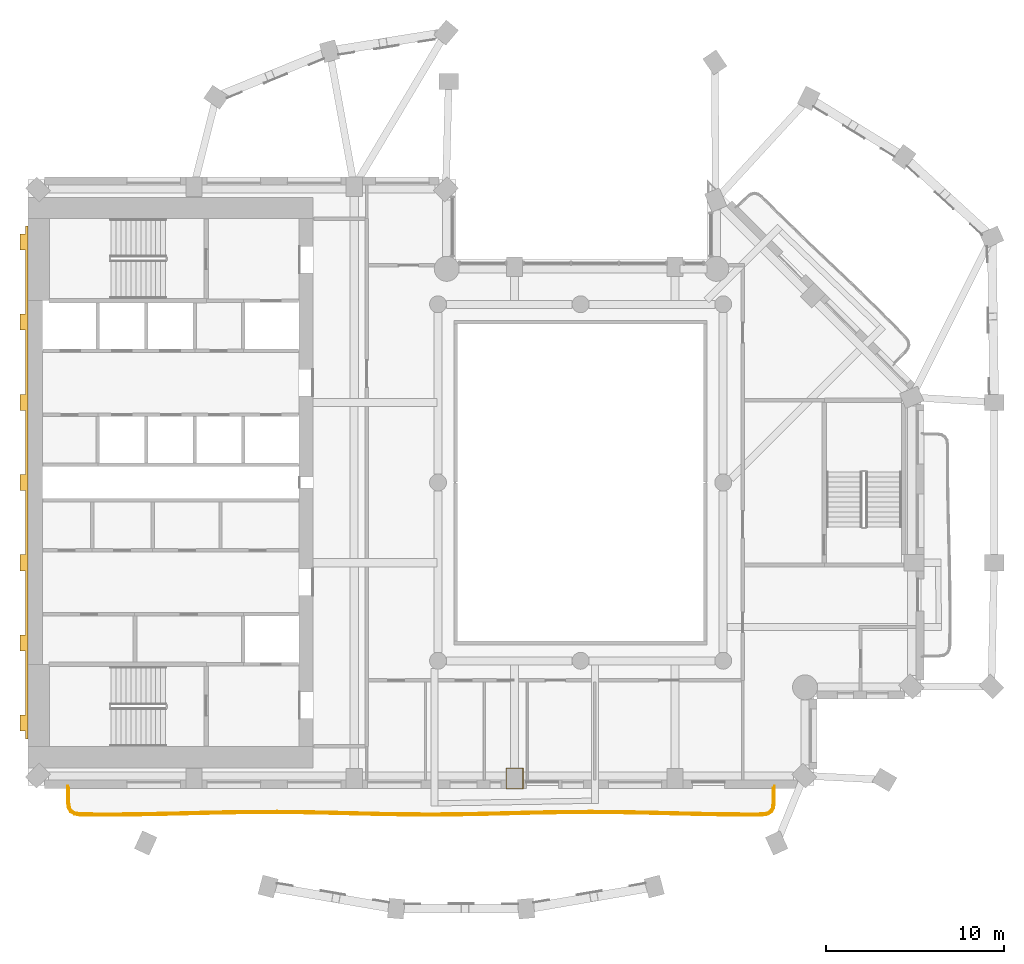
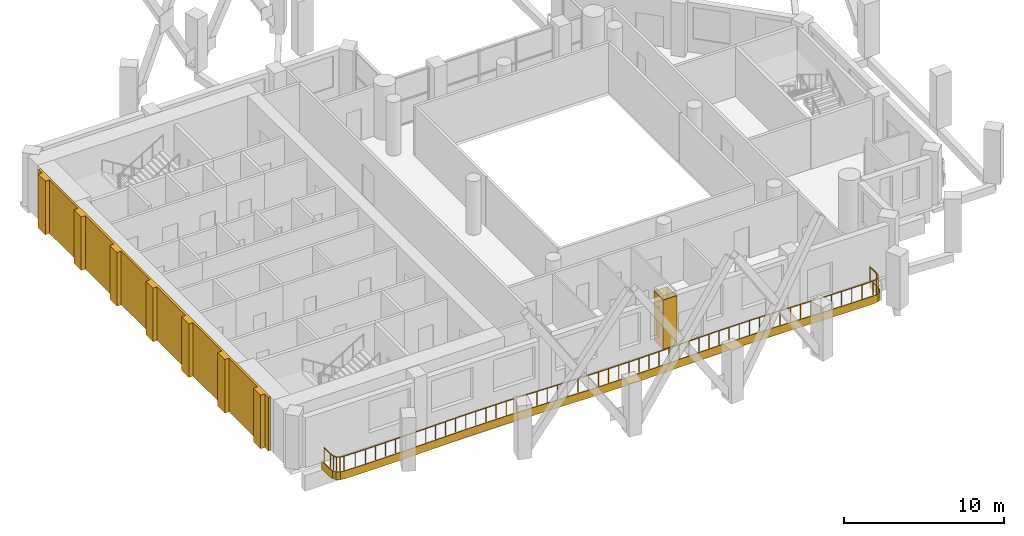
# One storey, part 12 of 15: 3 coverings, 1 railing.
"""IFC4 building model written with IfcOpenShell, lengths in metres."""

from ifc_helpers import new_model, si_unit, direction, frame, origin, origin_2d, place, context, subcontext, project, spatial, polyline, rectangle, outline, extrude, material, layer, layer_set, type_object, element, save


model = new_model("IFC4")

# Units and contexts
model_context = context("Model", 3, precision=1e-05, world=origin(), true_north=direction((0.0, 1.0)))
body_context = subcontext(model_context, "Body", "Model", "MODEL_VIEW")
ifc_project = project(units=[si_unit("LENGTHUNIT", "METRE"), si_unit("AREAUNIT", "SQUARE_METRE"), si_unit("VOLUMEUNIT", "CUBIC_METRE"), si_unit("PLANEANGLEUNIT", "RADIAN"), si_unit("MASSUNIT", "GRAM", prefix="KILO")], contexts=[model_context])

# Site, building, storey
site_placement = place(None, origin())
site = spatial("IfcSite", under=ifc_project, at=site_placement, CompositionType="ELEMENT")
building_placement = place(site_placement, origin())
building = spatial("IfcBuilding", under=site, at=building_placement, Name="Cypress Arch Tower", CompositionType="ELEMENT")
storey_placement = place(building_placement, frame((0.0, 0.0, 193.300048828125)))
storey = spatial("IfcBuildingStorey", under=building, at=storey_placement, Name="L42", CompositionType="ELEMENT", Elevation=193.300048828125)

# Covering
ifc_material_1 = material(Name="White powder-coated aluminium fascia", Category="aluminium")
ifc_layer_1 = layer(ifc_material_1, 0.050048828125)
ifc_layer_set_1 = layer_set([ifc_layer_1], Name="Balcony fascia BF50")
covering_type_1 = type_object("IfcCoveringType", Name="Balcony fascia BF50", PredefinedType="CLADDING", material=ifc_layer_set_1)
covering_1_placement = place(storey_placement, frame((0.0, 0.0, -0.60009765625)))
element("IfcCovering", 1, at=covering_1_placement, inside=storey, type_object=covering_type_1, Name="Balcony fascia L42-B01", PredefinedType="CLADDING", context=body_context, shape_type="SweptSolid", body=[
    extrude(outline(polyline([(11.89990234375, -17.980224609375), (11.85693359375, -18.28271484375), (11.721435546875, -18.509033203125), (11.49609375, -18.6455078125), (11.19384765625, -18.690185546875), (10.38330078125, -18.694580078125), (8.916015625, -18.683837890625), (7.448974609375, -18.657470703125), (5.982177734375, -18.621826171875), (4.515625, -18.58642578125), (3.04931640625, -18.560302734375), (1.583251953125, -18.550048828125), (0.1171875, -18.558349609375), (-1.348876953125, -18.5830078125), (-2.8154296875, -18.61767578125), (-4.2822265625, -18.653564453125), (-5.749267578125, -18.681640625), (-7.216552734375, -18.6943359375), (-8.683837890625, -18.6884765625), (-10.15087890625, -18.665771484375), (-11.617919921875, -18.6318359375), (-13.08447265625, -18.595703125), (-14.55078125, -18.566162109375), (-16.016845703125, -18.551025390625), (-17.48291015625, -18.55419921875), (-18.948974609375, -18.574951171875), (-20.41552734375, -18.607666015625), (-21.882080078125, -18.644287109375), (-23.34912109375, -18.67529296875), (-24.81640625, -18.692626953125), (-26.28369140625, -18.69189453125), (-27.09423828125, -18.681640625), (-27.396240234375, -18.634765625), (-27.62158203125, -18.49658203125), (-27.7568359375, -18.269775390625), (-27.800048828125, -17.967041015625), (-27.800048828125, -17.0009765625), (-27.75, -17.0009765625), (-27.75, -17.96337890625), (-27.708740234375, -18.252685546875), (-27.5849609375, -18.46044921875), (-27.378662109375, -18.5869140625), (-27.090087890625, -18.6318359375), (-26.283447265625, -18.641845703125), (-24.816650390625, -18.642578125), (-23.35009765625, -18.625244140625), (-21.88330078125, -18.59423828125), (-20.416748046875, -18.5576171875), (-18.949951171875, -18.52490234375), (-17.4833984375, -18.504150390625), (-16.0166015625, -18.5009765625), (-14.550048828125, -18.51611328125), (-13.083251953125, -18.545654296875), (-11.61669921875, -18.58203125), (-10.14990234375, -18.61572265625), (-8.683349609375, -18.638427734375), (-7.216552734375, -18.644287109375), (-5.75, -18.631591796875), (-4.283447265625, -18.603759765625), (-2.816650390625, -18.567626953125), (-1.35009765625, -18.532958984375), (0.11669921875, -18.50830078125), (1.583251953125, -18.5), (3.050048828125, -18.51025390625), (4.5166015625, -18.53662109375), (5.9833984375, -18.57177734375), (7.449951171875, -18.607421875), (8.916748046875, -18.6337890625), (10.38330078125, -18.64453125), (11.18994140625, -18.640380859375), (11.478759765625, -18.597412109375), (11.68505859375, -18.47265625), (11.808837890625, -18.265625), (11.85009765625, -17.976806640625), (11.85009765625, -17.0009765625), (11.89990234375, -17.0009765625), (11.89990234375, -17.980224609375)])), origin(), (0.0, 0.0, 1.0), 0.60009765625),
])

# Railing
ifc_material_2 = material(Name="Powder-coated steel posts and rods, 100 mm clear between rods", Category="steel")
railing_type = type_object("IfcRailingType", Name="Balcony guard GR1100", PredefinedType="GUARDRAIL", material=ifc_material_2)
railing_placement = place(storey_placement, frame((11.800048828125, -17.14990234375, 0.0)))
element("IfcRailing", 2, at=railing_placement, inside=storey, type_object=railing_type, Name="Balcony guard L42-B01", PredefinedType="GUARDRAIL", context=body_context, shape_type="SweptSolid", body=[
    extrude(rectangle(XDim=0.050048828125, YDim=0.050048828125, at=origin_2d()), frame((0.0, 0.0, 1.0751953125), z_axis=(0.0, -1.0, 0.0), x_axis=(1.0, 0.0, 0.0)), (0.0, 0.0, 1.0), 0.8232421875),
    extrude(rectangle(XDim=0.050048828125, YDim=0.050048828125, at=origin_2d()), frame((0.0, -0.8232421875, 1.0751953125), z_axis=(-0.141175828707, -0.989984537954, 0.0), x_axis=(0.989984537954, -0.141175828707, 0.0)), (0.0, 0.0, 1.0), 0.2783203125),
    extrude(rectangle(XDim=0.050048828125, YDim=0.050048828125, at=origin_2d()), frame((-0.039306640625, -1.098876953125, 1.0751953125), z_axis=(-0.513838521865, -0.857886923462, 0.0), x_axis=(0.857886923462, -0.513838521865, 0.0)), (0.0, 0.0, 1.0), 0.218505859375),
    extrude(rectangle(XDim=0.050048828125, YDim=0.050048828125, at=origin_2d()), frame((-0.151611328125, -1.286376953125, 1.0751953125), z_axis=(-0.855317792828, -0.518103728293, 0.0), x_axis=(0.518103728293, -0.855317792828, 0.0)), (0.0, 0.0, 1.0), 0.21875),
    extrude(rectangle(XDim=0.050048828125, YDim=0.050048828125, at=origin_2d()), frame((-0.338623046875, -1.399658203125, 1.0751953125), z_axis=(-0.989198749212, -0.146580471267, 0.0), x_axis=(0.146580471267, -0.989198749212, 0.0)), (0.0, 0.0, 1.0), 0.278076171875),
    extrude(rectangle(XDim=0.050048828125, YDim=0.050048828125, at=origin_2d()), frame((-0.61376953125, -1.4404296875, 1.0751953125), z_axis=(-0.999986642309, -0.005168675257, 0.0), x_axis=(0.005168675257, -0.999986642309, 0.0)), (0.0, 0.0, 1.0), 0.802978515625),
    extrude(rectangle(XDim=0.050048828125, YDim=0.050048828125, at=origin_2d()), frame((-1.416748046875, -1.444580078125, 1.0751953125), z_axis=(-0.999974363178, 0.00716051584, 0.0), x_axis=(-0.00716051584, -0.999974363178, 0.0)), (0.0, 0.0, 1.0), 1.466064453125),
    extrude(rectangle(XDim=0.050048828125, YDim=0.050048828125, at=origin_2d()), frame((-2.8828125, -1.43408203125, 1.0751953125), z_axis=(-0.999835301488, 0.018148550851, 0.0), x_axis=(-0.018148550851, -0.999835301488, 0.0)), (0.0, 0.0, 1.0), 1.46630859375),
    extrude(rectangle(XDim=0.050048828125, YDim=0.050048828125, at=origin_2d()), frame((-4.348876953125, -1.407470703125, 1.0751953125), z_axis=(-0.999708793538, 0.024131475789, 0.0), x_axis=(-0.024131475789, -0.999708793538, 0.0)), (0.0, 0.0, 1.0), 1.467041015625),
    extrude(rectangle(XDim=0.050048828125, YDim=0.050048828125, at=origin_2d()), frame((-5.8154296875, -1.3720703125, 1.0751953125), z_axis=(-0.999708890427, 0.02412746157, 0.0), x_axis=(-0.02412746157, -0.999708890427, 0.0)), (0.0, 0.0, 1.0), 1.46728515625),
    extrude(rectangle(XDim=0.050048828125, YDim=0.050048828125, at=origin_2d()), frame((-7.2822265625, -1.336669921875, 1.0751953125), z_axis=(-0.999841552502, 0.01780083962, 0.0), x_axis=(-0.01780083962, -0.999841552502, 0.0)), (0.0, 0.0, 1.0), 1.467529296875),
    extrude(rectangle(XDim=0.050048828125, YDim=0.050048828125, at=origin_2d()), frame((-8.74951171875, -1.310546875, 1.0751953125), z_axis=(-0.999974405815, 0.007154558977, 0.0), x_axis=(-0.007154558977, -0.999974405815, 0.0)), (0.0, 0.0, 1.0), 1.46728515625),
    extrude(rectangle(XDim=0.050048828125, YDim=0.050048828125, at=origin_2d()), frame((-10.216796875, -1.300048828125, 1.0751953125), z_axis=(-0.999983992887, -0.005658088826, 0.0), x_axis=(0.005658088826, -0.999983992887, 0.0)), (0.0, 0.0, 1.0), 1.467041015625),
    extrude(rectangle(XDim=0.050048828125, YDim=0.050048828125, at=origin_2d()), frame((-11.683837890625, -1.308349609375, 1.0751953125), z_axis=(-0.999858820438, -0.016802951891, 0.0), x_axis=(0.016802951891, -0.999858820438, 0.0)), (0.0, 0.0, 1.0), 1.467529296875),
    extrude(rectangle(XDim=0.050048828125, YDim=0.050048828125, at=origin_2d()), frame((-13.151123046875, -1.3330078125, 1.0751953125), z_axis=(-0.999716862265, -0.023794858739, 0.0), x_axis=(0.023794858739, -0.999716862265, 0.0)), (0.0, 0.0, 1.0), 1.46728515625),
    extrude(rectangle(XDim=0.050048828125, YDim=0.050048828125, at=origin_2d()), frame((-14.617919921875, -1.367919921875, 1.0751953125), z_axis=(-0.999700708485, -0.024464125878, 0.0), x_axis=(0.024464125878, -0.999700708485, 0.0)), (0.0, 0.0, 1.0), 1.467041015625),
    extrude(rectangle(XDim=0.050048828125, YDim=0.050048828125, at=origin_2d()), frame((-16.08447265625, -1.40380859375, 1.0751953125), z_axis=(-0.99981990912, -0.018977600673, 0.0), x_axis=(0.018977600673, -0.99981990912, 0.0)), (0.0, 0.0, 1.0), 1.466552734375),
    extrude(rectangle(XDim=0.050048828125, YDim=0.050048828125, at=origin_2d()), frame((-17.55078125, -1.431640625, 1.0751953125), z_axis=(-0.999962509067, -0.008659125807, 0.0), x_axis=(0.008659125807, -0.999962509067, 0.0)), (0.0, 0.0, 1.0), 1.466064453125),
    extrude(rectangle(XDim=0.050048828125, YDim=0.050048828125, at=origin_2d()), frame((-19.016845703125, -1.4443359375, 1.0751953125), z_axis=(-0.999992665089, 0.003830113455, 0.0), x_axis=(-0.003830113455, -0.999992665089, 0.0)), (0.0, 0.0, 1.0), 1.466064453125),
    extrude(rectangle(XDim=0.050048828125, YDim=0.050048828125, at=origin_2d()), frame((-20.48291015625, -1.438720703125, 1.0751953125), z_axis=(-0.999880096527, 0.015485237132, 0.0), x_axis=(-0.015485237132, -0.999880096527, 0.0)), (0.0, 0.0, 1.0), 1.46630859375),
    extrude(rectangle(XDim=0.050048828125, YDim=0.050048828125, at=origin_2d()), frame((-21.948974609375, -1.416015625, 1.0751953125), z_axis=(-0.999732385292, 0.023133477868, 0.0), x_axis=(-0.023133477868, -0.999732385292, 0.0)), (0.0, 0.0, 1.0), 1.467041015625),
    extrude(rectangle(XDim=0.050048828125, YDim=0.050048828125, at=origin_2d()), frame((-23.41552734375, -1.382080078125, 1.0751953125), z_axis=(-0.999692615182, 0.024792643086, 0.0), x_axis=(-0.024792643086, -0.999692615182, 0.0)), (0.0, 0.0, 1.0), 1.46728515625),
    extrude(rectangle(XDim=0.050048828125, YDim=0.050048828125, at=origin_2d()), frame((-24.88232421875, -1.345703125, 1.0751953125), z_axis=(-0.999797323083, 0.020132380778, 0.0), x_axis=(-0.020132380778, -0.999797323083, 0.0)), (0.0, 0.0, 1.0), 1.46728515625),
    extrude(rectangle(XDim=0.050048828125, YDim=0.050048828125, at=origin_2d()), frame((-26.349365234375, -1.316162109375, 1.0751953125), z_axis=(-0.999946775168, 0.010317307382, 0.0), x_axis=(-0.010317307382, -0.999946775168, 0.0)), (0.0, 0.0, 1.0), 1.467041015625),
    extrude(rectangle(XDim=0.050048828125, YDim=0.050048828125, at=origin_2d()), frame((-27.81640625, -1.301025390625, 1.0751953125), z_axis=(-0.999997660591, -0.002163056504, 0.0), x_axis=(0.002163056504, -0.999997660591, 0.0)), (0.0, 0.0, 1.0), 1.46728515625),
    extrude(rectangle(XDim=0.050048828125, YDim=0.050048828125, at=origin_2d()), frame((-29.28369140625, -1.30419921875, 1.0751953125), z_axis=(-0.999900001436, -0.014141680553, 0.0), x_axis=(0.014141680553, -0.999900001436, 0.0)), (0.0, 0.0, 1.0), 1.467529296875),
    extrude(rectangle(XDim=0.050048828125, YDim=0.050048828125, at=origin_2d()), frame((-30.7509765625, -1.324951171875, 1.0751953125), z_axis=(-0.999747728164, -0.022460632934, 0.0), x_axis=(0.022460632934, -0.999747728164, 0.0)), (0.0, 0.0, 1.0), 1.467529296875),
    extrude(rectangle(XDim=0.050048828125, YDim=0.050048828125, at=origin_2d()), frame((-32.218017578125, -1.35791015625, 1.0751953125), z_axis=(-0.999692512878, -0.024796767841, 0.0), x_axis=(0.024796767841, -0.999692512878, 0.0)), (0.0, 0.0, 1.0), 1.467041015625),
    extrude(rectangle(XDim=0.050048828125, YDim=0.050048828125, at=origin_2d()), frame((-33.6845703125, -1.394287109375, 1.0751953125), z_axis=(-0.999776508413, -0.021140795299, 0.0), x_axis=(0.021140795299, -0.999776508413, 0.0)), (0.0, 0.0, 1.0), 1.466552734375),
    extrude(rectangle(XDim=0.050048828125, YDim=0.050048828125, at=origin_2d()), frame((-35.15087890625, -1.42529296875, 1.0751953125), z_axis=(-0.999930109983, -0.01182265409, 0.0), x_axis=(0.01182265409, -0.999930109983, 0.0)), (0.0, 0.0, 1.0), 1.466064453125),
    extrude(rectangle(XDim=0.050048828125, YDim=0.050048828125, at=origin_2d()), frame((-36.616943359375, -1.442626953125, 1.0751953125), z_axis=(-0.999999944537, 0.000333055768, 0.0), x_axis=(-0.000333055768, -0.999999944537, 0.0)), (0.0, 0.0, 1.0), 1.466064453125),
    extrude(rectangle(XDim=0.050048828125, YDim=0.050048828125, at=origin_2d()), frame((-38.0830078125, -1.442138671875, 1.0751953125), z_axis=(-0.999918475578, 0.012768797803, 0.0), x_axis=(-0.012768797803, -0.999918475578, 0.0)), (0.0, 0.0, 1.0), 0.802978515625),
    extrude(rectangle(XDim=0.050048828125, YDim=0.050048828125, at=origin_2d()), frame((-38.885986328125, -1.431884765625, 1.0751953125), z_axis=(-0.988157863519, 0.153440662037, 0.0), x_axis=(-0.153440662037, -0.988157863519, 0.0)), (0.0, 0.0, 1.0), 0.278564453125),
    extrude(rectangle(XDim=0.050048828125, YDim=0.050048828125, at=origin_2d()), frame((-39.1611328125, -1.38916015625, 1.0751953125), z_axis=(-0.852649180037, 0.522483852174, 0.0), x_axis=(-0.522483852174, -0.852649180037, 0.0)), (0.0, 0.0, 1.0), 0.2197265625),
    extrude(rectangle(XDim=0.050048828125, YDim=0.050048828125, at=origin_2d()), frame((-39.348388671875, -1.2744140625, 1.0751953125), z_axis=(-0.511875070198, 0.85905990042, 0.0), x_axis=(-0.85905990042, -0.511875070198, 0.0)), (0.0, 0.0, 1.0), 0.219482421875),
    extrude(rectangle(XDim=0.050048828125, YDim=0.050048828125, at=origin_2d()), frame((-39.460693359375, -1.0859375, 1.0751953125), z_axis=(-0.141053381126, 0.990001991752, 0.0), x_axis=(-0.990001991752, -0.141053381126, 0.0)), (0.0, 0.0, 1.0), 0.278564453125),
    extrude(rectangle(XDim=0.050048828125, YDim=0.050048828125, at=origin_2d()), frame((-39.5, -0.81005859375, 1.0751953125), z_axis=(0.0, 1.0, 0.0), x_axis=(-1.0, 0.0, 0.0)), (0.0, 0.0, 1.0), 0.81005859375),
    extrude(rectangle(XDim=0.0400390625, YDim=0.0400390625, at=origin_2d()), origin(), (0.0, 0.0, 1.0), 1.050048828125),
    extrude(rectangle(XDim=0.0400390625, YDim=0.0400390625, at=origin_2d()), frame((0.0, -0.8232421875, 0.0)), (0.0, 0.0, 1.0), 1.050048828125),
    extrude(rectangle(XDim=0.0400390625, YDim=0.0400390625, at=origin_2d()), frame((-0.039306640625, -1.098876953125, 0.0)), (0.0, 0.0, 1.0), 1.050048828125),
    extrude(rectangle(XDim=0.0400390625, YDim=0.0400390625, at=origin_2d()), frame((-0.151611328125, -1.286376953125, 0.0)), (0.0, 0.0, 1.0), 1.050048828125),
    extrude(rectangle(XDim=0.0400390625, YDim=0.0400390625, at=origin_2d()), frame((-0.338623046875, -1.399658203125, 0.0)), (0.0, 0.0, 1.0), 1.050048828125),
    extrude(rectangle(XDim=0.0400390625, YDim=0.0400390625, at=origin_2d()), frame((-0.61376953125, -1.4404296875, 0.0)), (0.0, 0.0, 1.0), 1.050048828125),
    extrude(rectangle(XDim=0.0400390625, YDim=0.0400390625, at=origin_2d()), frame((-1.416748046875, -1.444580078125, 0.0)), (0.0, 0.0, 1.0), 1.050048828125),
    extrude(rectangle(XDim=0.0400390625, YDim=0.0400390625, at=origin_2d()), frame((-2.14990234375, -1.439453125, 0.0)), (0.0, 0.0, 1.0), 1.050048828125),
    extrude(rectangle(XDim=0.0400390625, YDim=0.0400390625, at=origin_2d()), frame((-2.8828125, -1.43408203125, 0.0)), (0.0, 0.0, 1.0), 1.050048828125),
    extrude(rectangle(XDim=0.0400390625, YDim=0.0400390625, at=origin_2d()), frame((-3.61572265625, -1.4208984375, 0.0)), (0.0, 0.0, 1.0), 1.050048828125),
    extrude(rectangle(XDim=0.0400390625, YDim=0.0400390625, at=origin_2d()), frame((-4.348876953125, -1.407470703125, 0.0)), (0.0, 0.0, 1.0), 1.050048828125),
    extrude(rectangle(XDim=0.0400390625, YDim=0.0400390625, at=origin_2d()), frame((-5.08203125, -1.3896484375, 0.0)), (0.0, 0.0, 1.0), 1.050048828125),
    extrude(rectangle(XDim=0.0400390625, YDim=0.0400390625, at=origin_2d()), frame((-5.8154296875, -1.3720703125, 0.0)), (0.0, 0.0, 1.0), 1.050048828125),
    extrude(rectangle(XDim=0.0400390625, YDim=0.0400390625, at=origin_2d()), frame((-6.548828125, -1.3544921875, 0.0)), (0.0, 0.0, 1.0), 1.050048828125),
    extrude(rectangle(XDim=0.0400390625, YDim=0.0400390625, at=origin_2d()), frame((-7.2822265625, -1.336669921875, 0.0)), (0.0, 0.0, 1.0), 1.050048828125),
    extrude(rectangle(XDim=0.0400390625, YDim=0.0400390625, at=origin_2d()), frame((-8.015869140625, -1.32373046875, 0.0)), (0.0, 0.0, 1.0), 1.050048828125),
    extrude(rectangle(XDim=0.0400390625, YDim=0.0400390625, at=origin_2d()), frame((-8.74951171875, -1.310546875, 0.0)), (0.0, 0.0, 1.0), 1.050048828125),
    extrude(rectangle(XDim=0.0400390625, YDim=0.0400390625, at=origin_2d()), frame((-9.483154296875, -1.30517578125, 0.0)), (0.0, 0.0, 1.0), 1.050048828125),
    extrude(rectangle(XDim=0.0400390625, YDim=0.0400390625, at=origin_2d()), frame((-10.216796875, -1.300048828125, 0.0)), (0.0, 0.0, 1.0), 1.050048828125),
    extrude(rectangle(XDim=0.0400390625, YDim=0.0400390625, at=origin_2d()), frame((-10.9501953125, -1.30419921875, 0.0)), (0.0, 0.0, 1.0), 1.050048828125),
    extrude(rectangle(XDim=0.0400390625, YDim=0.0400390625, at=origin_2d()), frame((-11.683837890625, -1.308349609375, 0.0)), (0.0, 0.0, 1.0), 1.050048828125),
    extrude(rectangle(XDim=0.0400390625, YDim=0.0400390625, at=origin_2d()), frame((-12.41748046875, -1.32080078125, 0.0)), (0.0, 0.0, 1.0), 1.050048828125),
    extrude(rectangle(XDim=0.0400390625, YDim=0.0400390625, at=origin_2d()), frame((-13.151123046875, -1.3330078125, 0.0)), (0.0, 0.0, 1.0), 1.050048828125),
    extrude(rectangle(XDim=0.0400390625, YDim=0.0400390625, at=origin_2d()), frame((-13.884521484375, -1.3505859375, 0.0)), (0.0, 0.0, 1.0), 1.050048828125),
    extrude(rectangle(XDim=0.0400390625, YDim=0.0400390625, at=origin_2d()), frame((-14.617919921875, -1.367919921875, 0.0)), (0.0, 0.0, 1.0), 1.050048828125),
    extrude(rectangle(XDim=0.0400390625, YDim=0.0400390625, at=origin_2d()), frame((-15.35107421875, -1.3857421875, 0.0)), (0.0, 0.0, 1.0), 1.050048828125),
    extrude(rectangle(XDim=0.0400390625, YDim=0.0400390625, at=origin_2d()), frame((-16.08447265625, -1.40380859375, 0.0)), (0.0, 0.0, 1.0), 1.050048828125),
    extrude(rectangle(XDim=0.0400390625, YDim=0.0400390625, at=origin_2d()), frame((-16.817626953125, -1.417724609375, 0.0)), (0.0, 0.0, 1.0), 1.050048828125),
    extrude(rectangle(XDim=0.0400390625, YDim=0.0400390625, at=origin_2d()), frame((-17.55078125, -1.431640625, 0.0)), (0.0, 0.0, 1.0), 1.050048828125),
    extrude(rectangle(XDim=0.0400390625, YDim=0.0400390625, at=origin_2d()), frame((-18.28369140625, -1.43798828125, 0.0)), (0.0, 0.0, 1.0), 1.050048828125),
    extrude(rectangle(XDim=0.0400390625, YDim=0.0400390625, at=origin_2d()), frame((-19.016845703125, -1.4443359375, 0.0)), (0.0, 0.0, 1.0), 1.050048828125),
    extrude(rectangle(XDim=0.0400390625, YDim=0.0400390625, at=origin_2d()), frame((-19.75, -1.44140625, 0.0)), (0.0, 0.0, 1.0), 1.050048828125),
    extrude(rectangle(XDim=0.0400390625, YDim=0.0400390625, at=origin_2d()), frame((-20.48291015625, -1.438720703125, 0.0)), (0.0, 0.0, 1.0), 1.050048828125),
    extrude(rectangle(XDim=0.0400390625, YDim=0.0400390625, at=origin_2d()), frame((-21.2158203125, -1.42724609375, 0.0)), (0.0, 0.0, 1.0), 1.050048828125),
    extrude(rectangle(XDim=0.0400390625, YDim=0.0400390625, at=origin_2d()), frame((-21.948974609375, -1.416015625, 0.0)), (0.0, 0.0, 1.0), 1.050048828125),
    extrude(rectangle(XDim=0.0400390625, YDim=0.0400390625, at=origin_2d()), frame((-22.68212890625, -1.39892578125, 0.0)), (0.0, 0.0, 1.0), 1.050048828125),
    extrude(rectangle(XDim=0.0400390625, YDim=0.0400390625, at=origin_2d()), frame((-23.41552734375, -1.382080078125, 0.0)), (0.0, 0.0, 1.0), 1.050048828125),
    extrude(rectangle(XDim=0.0400390625, YDim=0.0400390625, at=origin_2d()), frame((-24.14892578125, -1.36376953125, 0.0)), (0.0, 0.0, 1.0), 1.050048828125),
    extrude(rectangle(XDim=0.0400390625, YDim=0.0400390625, at=origin_2d()), frame((-24.88232421875, -1.345703125, 0.0)), (0.0, 0.0, 1.0), 1.050048828125),
    extrude(rectangle(XDim=0.0400390625, YDim=0.0400390625, at=origin_2d()), frame((-25.61572265625, -1.3310546875, 0.0)), (0.0, 0.0, 1.0), 1.050048828125),
    extrude(rectangle(XDim=0.0400390625, YDim=0.0400390625, at=origin_2d()), frame((-26.349365234375, -1.316162109375, 0.0)), (0.0, 0.0, 1.0), 1.050048828125),
    extrude(rectangle(XDim=0.0400390625, YDim=0.0400390625, at=origin_2d()), frame((-27.0830078125, -1.30859375, 0.0)), (0.0, 0.0, 1.0), 1.050048828125),
    extrude(rectangle(XDim=0.0400390625, YDim=0.0400390625, at=origin_2d()), frame((-27.81640625, -1.301025390625, 0.0)), (0.0, 0.0, 1.0), 1.050048828125),
    extrude(rectangle(XDim=0.0400390625, YDim=0.0400390625, at=origin_2d()), frame((-28.550048828125, -1.302734375, 0.0)), (0.0, 0.0, 1.0), 1.050048828125),
    extrude(rectangle(XDim=0.0400390625, YDim=0.0400390625, at=origin_2d()), frame((-29.28369140625, -1.30419921875, 0.0)), (0.0, 0.0, 1.0), 1.050048828125),
    extrude(rectangle(XDim=0.0400390625, YDim=0.0400390625, at=origin_2d()), frame((-30.017333984375, -1.314453125, 0.0)), (0.0, 0.0, 1.0), 1.050048828125),
    extrude(rectangle(XDim=0.0400390625, YDim=0.0400390625, at=origin_2d()), frame((-30.7509765625, -1.324951171875, 0.0)), (0.0, 0.0, 1.0), 1.050048828125),
    extrude(rectangle(XDim=0.0400390625, YDim=0.0400390625, at=origin_2d()), frame((-31.484375, -1.34130859375, 0.0)), (0.0, 0.0, 1.0), 1.050048828125),
    extrude(rectangle(XDim=0.0400390625, YDim=0.0400390625, at=origin_2d()), frame((-32.218017578125, -1.35791015625, 0.0)), (0.0, 0.0, 1.0), 1.050048828125),
    extrude(rectangle(XDim=0.0400390625, YDim=0.0400390625, at=origin_2d()), frame((-32.951171875, -1.3759765625, 0.0)), (0.0, 0.0, 1.0), 1.050048828125),
    extrude(rectangle(XDim=0.0400390625, YDim=0.0400390625, at=origin_2d()), frame((-33.6845703125, -1.394287109375, 0.0)), (0.0, 0.0, 1.0), 1.050048828125),
    extrude(rectangle(XDim=0.0400390625, YDim=0.0400390625, at=origin_2d()), frame((-34.417724609375, -1.40966796875, 0.0)), (0.0, 0.0, 1.0), 1.050048828125),
    extrude(rectangle(XDim=0.0400390625, YDim=0.0400390625, at=origin_2d()), frame((-35.15087890625, -1.42529296875, 0.0)), (0.0, 0.0, 1.0), 1.050048828125),
    extrude(rectangle(XDim=0.0400390625, YDim=0.0400390625, at=origin_2d()), frame((-35.8837890625, -1.43408203125, 0.0)), (0.0, 0.0, 1.0), 1.050048828125),
    extrude(rectangle(XDim=0.0400390625, YDim=0.0400390625, at=origin_2d()), frame((-36.616943359375, -1.442626953125, 0.0)), (0.0, 0.0, 1.0), 1.050048828125),
    extrude(rectangle(XDim=0.0400390625, YDim=0.0400390625, at=origin_2d()), frame((-37.35009765625, -1.4423828125, 0.0)), (0.0, 0.0, 1.0), 1.050048828125),
    extrude(rectangle(XDim=0.0400390625, YDim=0.0400390625, at=origin_2d()), frame((-38.0830078125, -1.442138671875, 0.0)), (0.0, 0.0, 1.0), 1.050048828125),
    extrude(rectangle(XDim=0.0400390625, YDim=0.0400390625, at=origin_2d()), frame((-38.885986328125, -1.431884765625, 0.0)), (0.0, 0.0, 1.0), 1.050048828125),
    extrude(rectangle(XDim=0.0400390625, YDim=0.0400390625, at=origin_2d()), frame((-39.1611328125, -1.38916015625, 0.0)), (0.0, 0.0, 1.0), 1.050048828125),
    extrude(rectangle(XDim=0.0400390625, YDim=0.0400390625, at=origin_2d()), frame((-39.348388671875, -1.2744140625, 0.0)), (0.0, 0.0, 1.0), 1.050048828125),
    extrude(rectangle(XDim=0.0400390625, YDim=0.0400390625, at=origin_2d()), frame((-39.460693359375, -1.0859375, 0.0)), (0.0, 0.0, 1.0), 1.050048828125),
    extrude(rectangle(XDim=0.0400390625, YDim=0.0400390625, at=origin_2d()), frame((-39.5, -0.81005859375, 0.0)), (0.0, 0.0, 1.0), 1.050048828125),
    extrude(rectangle(XDim=0.0400390625, YDim=0.0400390625, at=origin_2d()), frame((-39.5, 0.0, 0.0)), (0.0, 0.0, 1.0), 1.050048828125),
])

# Coverings
ifc_material_3 = material(Name="Painted plasterboard column casing")
ifc_layer_2 = layer(ifc_material_3, 0.0400390625)
ifc_layer_set_2 = layer_set([ifc_layer_2], Name="Column casing CK40")
covering_type_2 = type_object("IfcCoveringType", Name="Column casing CK40", PredefinedType="CLADDING", material=ifc_layer_set_2)
covering_2_placement = place(storey_placement, origin())
element("IfcCovering", 3, at=covering_2_placement, inside=storey, type_object=covering_type_2, Name="Column casing L42 CB04", PredefinedType="CLADDING", context=body_context, shape_type="SweptSolid", body=[
    extrude(outline(polyline([(-3.18994140625, -17.18994140625), (-3.18994140625, -16.010009765625), (-2.2099609375, -16.010009765625), (-2.2099609375, -17.18994140625), (-3.18994140625, -17.18994140625)]), holes=[polyline([(-3.14990234375, -17.14990234375), (-2.25, -17.14990234375), (-2.25, -16.050048828125), (-3.14990234375, -16.050048828125), (-3.14990234375, -17.14990234375)])]), origin(), (0.0, 0.0, 1.0), 3.800048828125),
])
ifc_material_4 = material(Name="Brick (red buff blend)", Category="masonry")
ifc_layer_3 = layer(ifc_material_4, 0.449951171875)
ifc_layer_set_3 = layer_set([ifc_layer_3], Name="West face brick piers WP450")
covering_type_3 = type_object("IfcCoveringType", Name="West face brick piers WP450", PredefinedType="CLADDING", material=ifc_layer_set_3)
covering_3_placement = place(storey_placement, origin())
element("IfcCovering", 4, at=covering_3_placement, inside=storey, type_object=covering_type_3, Name="West face brick piers L42", PredefinedType="CLADDING", context=body_context, shape_type="SweptSolid", body=[
    extrude(outline(polyline([(-30.14990234375, -13.050048828125), (-30.14990234375, -9.449951171875), (-30.449951171875, -9.449951171875), (-30.449951171875, -8.550048828125), (-30.14990234375, -8.550048828125), (-30.14990234375, -4.949951171875), (-30.449951171875, -4.949951171875), (-30.449951171875, -4.050048828125), (-30.14990234375, -4.050048828125), (-30.14990234375, -0.449951171875), (-30.449951171875, -0.449951171875), (-30.449951171875, 0.449951171875), (-30.14990234375, 0.449951171875), (-30.14990234375, 4.050048828125), (-30.449951171875, 4.050048828125), (-30.449951171875, 4.949951171875), (-30.14990234375, 4.949951171875), (-30.14990234375, 8.550048828125), (-30.449951171875, 8.550048828125), (-30.449951171875, 9.449951171875), (-30.14990234375, 9.449951171875), (-30.14990234375, 13.050048828125), (-30.449951171875, 13.050048828125), (-30.449951171875, 13.949951171875), (-30.14990234375, 13.949951171875), (-30.14990234375, 14.39990234375), (-30.0, 14.39990234375), (-30.0, -14.39990234375), (-30.14990234375, -14.39990234375), (-30.14990234375, -13.949951171875), (-30.449951171875, -13.949951171875), (-30.449951171875, -13.050048828125), (-30.14990234375, -13.050048828125)])), origin(), (0.0, 0.0, 1.0), 4.099853515625),
])

save(model, "model.ifc")
